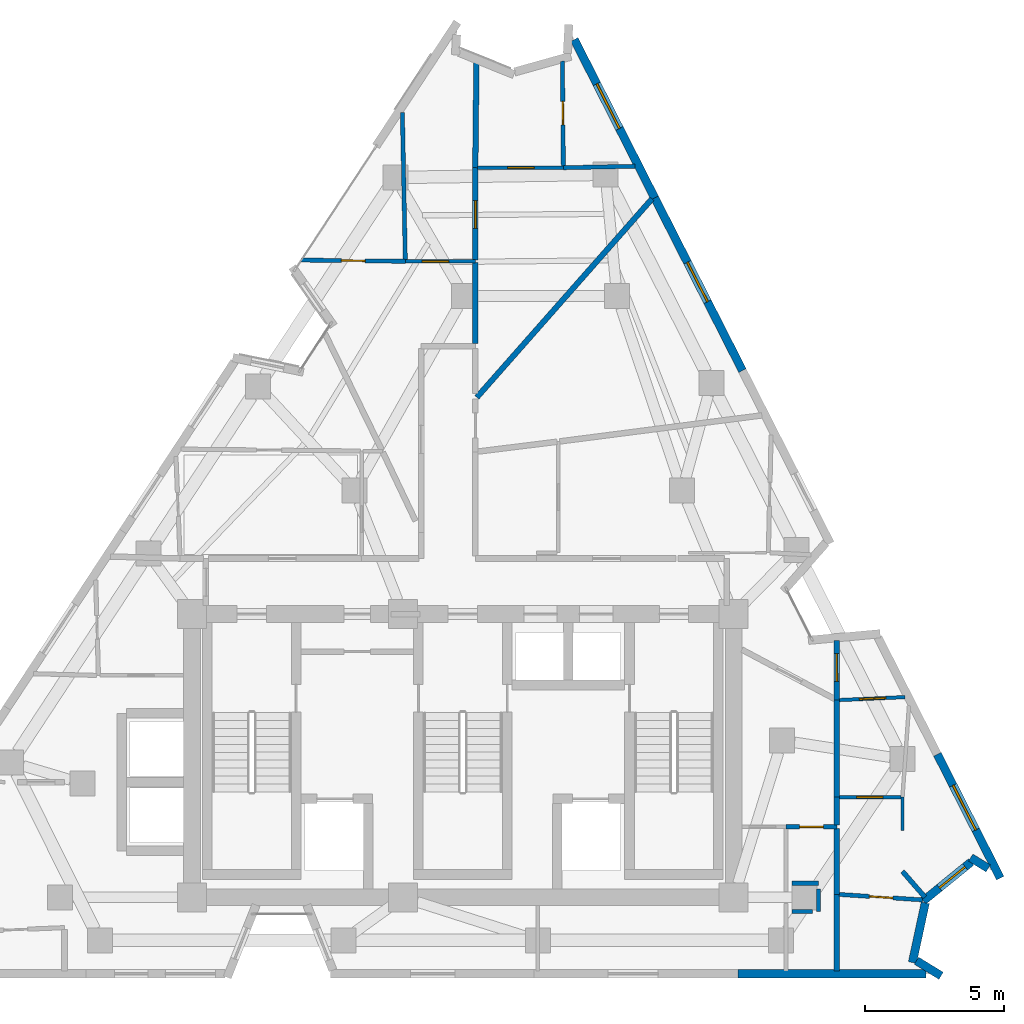
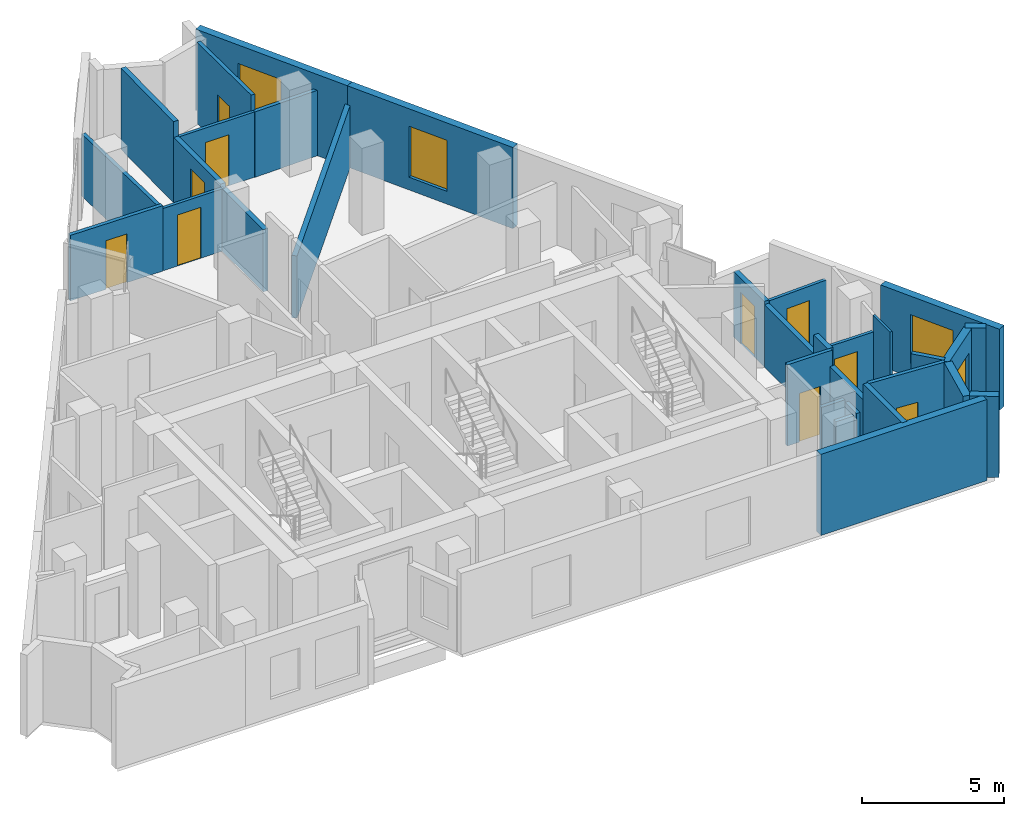
# One storey, part 8 of 10: 32 walls, 10 doors, 4 windows, 14 openings.
"""IFC4 building model written with IfcOpenShell, lengths in metres."""

from ifc_helpers import new_model, si_unit, direction, frame, frame_2d, origin, place, context, subcontext, project, spatial, rectangle, extrude, material, layer, layer_set, type_object, element, fill, save


model = new_model("IFC4")

# Units and contexts
model_context = context("Model", 3, precision=1e-05, world=origin(), true_north=direction((0.0, 1.0)))
body_context = subcontext(model_context, "Body", "Model", "MODEL_VIEW")
ifc_project = project(units=[si_unit("LENGTHUNIT", "METRE"), si_unit("AREAUNIT", "SQUARE_METRE"), si_unit("VOLUMEUNIT", "CUBIC_METRE"), si_unit("PLANEANGLEUNIT", "RADIAN"), si_unit("MASSUNIT", "GRAM", prefix="KILO")], contexts=[model_context])

# Site, building, storey
site_placement = place(None, origin())
site = spatial("IfcSite", under=ifc_project, at=site_placement, CompositionType="ELEMENT")
building_placement = place(site_placement, origin())
building = spatial("IfcBuilding", under=site, at=building_placement, Name="Almagre Mirador Tower", CompositionType="ELEMENT")
storey_placement = place(building_placement, frame((0.0, 0.0, 233.25)))
storey = spatial("IfcBuildingStorey", under=building, at=storey_placement, Name="L60", CompositionType="ELEMENT", Elevation=233.25)

# Wall, opening, window
ifc_material_1 = material(Name="Precast concrete C50/60", Category="concrete")
ifc_layer_1 = layer(ifc_material_1, 0.300048828125)
ifc_layer_set_1 = layer_set([ifc_layer_1], Name="Precast concrete C50/60")
wall_type_1 = type_object("IfcWallType", Name="WAL-EXT-300", PredefinedType="SOLIDWALL", material=ifc_layer_set_1)
wall_1_placement = place(storey_placement, frame((41.3134765625, 35.437255859375, 0.0), z_axis=(0.0, 0.0, 1.0), x_axis=(0.452902075909, -0.891560266969, 0.0)))
wall_1 = element("IfcWall", 1, at=wall_1_placement, inside=storey, type_object=wall_type_1, Name="L60 expressed almagre precast frame wall 08", PredefinedType="SOLIDWALL", context=body_context, shape_type="SweptSolid", body=[
    extrude(rectangle(XDim=6.393310546875, YDim=0.300048828125, at=frame_2d((3.19677734375, 0.0))), origin(), (0.0, 0.0, 1.0), 3.5),
])
opening_1_placement = place(wall_1_placement, frame((1.7900390625, 0.0, 0.60009765625)))
opening_1 = element("IfcOpeningElement", 2, at=opening_1_placement, cuts=wall_1, Name="Opening WN-01", PredefinedType="OPENING", context=body_context, shape_type="SweptSolid", body=[
    extrude(rectangle(XDim=1.800048828125, YDim=2.10009765625, at=frame_2d((0.89990234375, 1.050048828125))), frame((0.0, 0.159902, 0.0), z_axis=(0.0, -1.0, 0.0), x_axis=(1.0, 0.0, 0.0)), (0.0, 0.0, 1.0), 0.320049),
])
ifc_material_2 = material(Name="Dark solar-control laminated hurricane glass", Category="glass")
window_type_1 = type_object("IfcWindowType", Name="WIN-1800X2100", PartitioningType="DOUBLE_PANEL_VERTICAL", PredefinedType="WINDOW", material=ifc_material_2)
window_1_placement = place(opening_1_placement, origin())
window_1 = element("IfcWindow", 3, at=window_1_placement, inside=storey, type_object=window_type_1, Name="L60 recessed hurricane window L60-UK-BT", OverallHeight=2.10009765625, OverallWidth=1.800048828125, PartitioningType="SINGLE_PANEL", PredefinedType="WINDOW", context=body_context, shape_type="SweptSolid", body=[
    extrude(rectangle(XDim=1.800048828125, YDim=2.10009765625, at=frame_2d((0.89990234375, 1.050048828125))), frame((0.0, 0.030029296875, 0.0), z_axis=(0.0, -1.0, 0.0), x_axis=(1.0, 0.0, 0.0)), (0.0, 0.0, 1.0), 0.06005859375),
])
fill(opening_1, window_1)

wall_2_placement = place(storey_placement, frame((44.208984375, 29.7373046875, 0.0), z_axis=(0.0, 0.0, 1.0), x_axis=(0.452858393735, -0.891582455651, 0.0)))
wall_2 = element("IfcWall", 4, at=wall_2_placement, inside=storey, type_object=wall_type_1, Name="L60 expressed almagre precast frame wall 09", PredefinedType="SOLIDWALL", context=body_context, shape_type="SweptSolid", body=[
    extrude(rectangle(XDim=6.978271484375, YDim=0.300048828125, at=frame_2d((3.4892578125, 0.0))), origin(), (0.0, 0.0, 1.0), 3.5),
])
opening_2_placement = place(wall_2_placement, frame((2.60009765625, 0.0, 0.550048828125)))
opening_2 = element("IfcOpeningElement", 5, at=opening_2_placement, cuts=wall_2, Name="Opening WN-06", PredefinedType="OPENING", context=body_context, shape_type="SweptSolid", body=[
    extrude(rectangle(XDim=1.60009765625, YDim=2.199951171875, at=frame_2d((0.800048828125, 1.10009765625))), frame((0.0, 0.159902, 0.0), z_axis=(0.0, -1.0, 0.0), x_axis=(1.0, 0.0, 0.0)), (0.0, 0.0, 1.0), 0.320049),
])
ifc_material_3 = material(Name="Dark solar-control laminated hurricane glass", Category="glass")
window_type_2 = type_object("IfcWindowType", Name="WIN-1600X2200", PartitioningType="DOUBLE_PANEL_VERTICAL", PredefinedType="WINDOW", material=ifc_material_3)
window_2_placement = place(opening_2_placement, origin())
window_2 = element("IfcWindow", 6, at=window_2_placement, inside=storey, type_object=window_type_2, Name="L60 recessed hurricane window L60-RST-H", OverallHeight=2.199951171875, OverallWidth=1.60009765625, PartitioningType="SINGLE_PANEL", PredefinedType="WINDOW", context=body_context, shape_type="SweptSolid", body=[
    extrude(rectangle(XDim=1.60009765625, YDim=2.199951171875, at=frame_2d((0.800048828125, 1.10009765625))), frame((0.0, 0.030029296875, 0.0), z_axis=(0.0, -1.0, 0.0), x_axis=(1.0, 0.0, 0.0)), (0.0, 0.0, 1.0), 0.06005859375),
])
fill(opening_2, window_2)

wall_3_placement = place(storey_placement, frame((54.387451171875, 9.698486328125, 0.0), z_axis=(0.0, 0.0, 1.0), x_axis=(0.452850052045, -0.891586692567, 0.0)))
wall_3 = element("IfcWall", 7, at=wall_3_placement, inside=storey, type_object=wall_type_1, Name="L60 expressed almagre precast frame wall 14", PredefinedType="SOLIDWALL", context=body_context, shape_type="SweptSolid", body=[
    extrude(rectangle(XDim=4.999267578125, YDim=0.300048828125, at=frame_2d((2.49951171875, 0.0))), origin(), (0.0, 0.0, 1.0), 3.5),
])
opening_3_placement = place(wall_3_placement, frame((1.25, 0.0, 0.60009765625)))
opening_3 = element("IfcOpeningElement", 8, at=opening_3_placement, cuts=wall_3, Name="Opening WN-01", PredefinedType="OPENING", context=body_context, shape_type="SweptSolid", body=[
    extrude(rectangle(XDim=1.800048828125, YDim=2.10009765625, at=frame_2d((0.89990234375, 1.050048828125))), frame((0.0, 0.159902, 0.0), z_axis=(0.0, -1.0, 0.0), x_axis=(1.0, 0.0, 0.0)), (0.0, 0.0, 1.0), 0.320049),
])
window_3_placement = place(opening_3_placement, origin())
window_3 = element("IfcWindow", 9, at=window_3_placement, inside=storey, type_object=window_type_1, Name="L60 recessed hurricane window L60-UD-ST", OverallHeight=2.10009765625, OverallWidth=1.800048828125, PartitioningType="SINGLE_PANEL", PredefinedType="WINDOW", context=body_context, shape_type="SweptSolid", body=[
    extrude(rectangle(XDim=1.800048828125, YDim=2.10009765625, at=frame_2d((0.89990234375, 1.050048828125))), frame((0.0, 0.030029296875, 0.0), z_axis=(0.0, -1.0, 0.0), x_axis=(1.0, 0.0, 0.0)), (0.0, 0.0, 1.0), 0.06005859375),
])
fill(opening_3, window_3)

# Wall
wall_4_placement = place(storey_placement, frame((56.21728515625, 5.59375, 0.0), z_axis=(0.0, 0.0, 1.0), x_axis=(-0.852031848623, 0.523489951128, 0.0)))
element("IfcWall", 10, at=wall_4_placement, inside=storey, type_object=wall_type_1, Name="L60 expressed almagre precast frame wall 15", PredefinedType="SOLIDWALL", context=body_context, shape_type="SweptSolid", body=[
    extrude(rectangle(XDim=0.740234375, YDim=0.300048828125, at=frame_2d((0.3701171875, 0.0))), origin(), (0.0, 0.0, 1.0), 3.5),
])

# Wall, opening, window
wall_5_placement = place(storey_placement, frame((55.601318359375, 5.82275390625, 0.0), z_axis=(0.0, 0.0, 1.0), x_axis=(-0.775969517168, -0.630770408648, 0.0)))
wall_5 = element("IfcWall", 11, at=wall_5_placement, inside=storey, type_object=wall_type_1, Name="L60 expressed almagre precast frame wall 16", PredefinedType="SOLIDWALL", context=body_context, shape_type="SweptSolid", body=[
    extrude(rectangle(XDim=2.222900390625, YDim=0.300048828125, at=frame_2d((1.111328125, 0.0))), origin(), (0.0, 0.0, 1.0), 3.5),
])
opening_4_placement = place(wall_5_placement, frame((0.27490234375, 0.0, 0.800048828125)))
opening_4 = element("IfcOpeningElement", 12, at=opening_4_placement, cuts=wall_5, Name="Opening WN-04", PredefinedType="OPENING", context=body_context, shape_type="SweptSolid", body=[
    extrude(rectangle(XDim=1.199951171875, YDim=1.800048828125, at=frame_2d((0.60009765625, 0.89990234375))), frame((0.0, 0.159902, 0.0), z_axis=(0.0, -1.0, 0.0), x_axis=(1.0, 0.0, 0.0)), (0.0, 0.0, 1.0), 0.320049),
])
ifc_material_4 = material(Name="Dark solar-control laminated hurricane glass", Category="glass")
window_type_3 = type_object("IfcWindowType", Name="WIN-1200X1800", PartitioningType="SINGLE_PANEL", PredefinedType="WINDOW", material=ifc_material_4)
window_4_placement = place(opening_4_placement, origin())
window_4 = element("IfcWindow", 13, at=window_4_placement, inside=storey, type_object=window_type_3, Name="L60 recessed hurricane window L60-UD-ST", OverallHeight=1.800048828125, OverallWidth=1.199951171875, PartitioningType="SINGLE_PANEL", PredefinedType="WINDOW", context=body_context, shape_type="SweptSolid", body=[
    extrude(rectangle(XDim=1.199951171875, YDim=1.800048828125, at=frame_2d((0.60009765625, 0.89990234375))), frame((0.0, 0.030029296875, 0.0), z_axis=(0.0, -1.0, 0.0), x_axis=(1.0, 0.0, 0.0)), (0.0, 0.0, 1.0), 0.06005859375),
])
fill(opening_4, window_4)

# Walls
wall_6_placement = place(storey_placement, frame((53.951416015625, 4.3525390625, 0.0), z_axis=(0.0, 0.0, 1.0), x_axis=(-0.210621406129, -0.977567707773, 0.0)))
element("IfcWall", 14, at=wall_6_placement, inside=storey, type_object=wall_type_1, Name="L60 expressed almagre precast frame wall 17", PredefinedType="SOLIDWALL", context=body_context, shape_type="SweptSolid", body=[
    extrude(rectangle(XDim=2.19775390625, YDim=0.300048828125, at=frame_2d((1.098876953125, 0.0))), origin(), (0.0, 0.0, 1.0), 3.5),
])
wall_7_placement = place(storey_placement, frame((53.633056640625, 2.2705078125, 0.0), z_axis=(0.0, 0.0, 1.0), x_axis=(0.852375061926, -0.522930926421, 0.0)))
element("IfcWall", 15, at=wall_7_placement, inside=storey, type_object=wall_type_1, Name="L60 expressed almagre precast frame wall 18", PredefinedType="SOLIDWALL", context=body_context, shape_type="SweptSolid", body=[
    extrude(rectangle(XDim=1.039794921875, YDim=0.300048828125, at=frame_2d((0.52001953125, 0.0))), origin(), (0.0, 0.0, 1.0), 3.5),
])
wall_8_placement = place(storey_placement, frame((53.97509765625, 1.800048828125, 0.0), z_axis=(0.0, 0.0, 1.0), x_axis=(-1.0, 0.0, 0.0)))
element("IfcWall", 16, at=wall_8_placement, inside=storey, type_object=wall_type_1, Name="L60 expressed almagre precast frame wall 19", PredefinedType="SOLIDWALL", context=body_context, shape_type="SweptSolid", body=[
    extrude(rectangle(XDim=6.77099609375, YDim=0.300048828125, at=frame_2d((3.385498046875, 0.0))), origin(), (0.0, 0.0, 1.0), 3.5),
])
ifc_material_5 = material(Name="Gypsum acoustic stud partition", Category="other")
ifc_layer_2 = layer(ifc_material_5, 0.10009765625)
ifc_layer_set_2 = layer_set([ifc_layer_2], Name="Gypsum acoustic stud partition")
wall_type_2 = type_object("IfcWallType", Name="WAL-PRT-100-CLS", PredefinedType="PARTITIONING", material=ifc_layer_set_2)
wall_9_placement = place(storey_placement, frame((53.1298828125, 8.159912109375, 0.0), z_axis=(0.0, 0.0, 1.0), x_axis=(0.0, -1.0, 0.0)))
element("IfcWall", 17, at=wall_9_placement, inside=storey, type_object=wall_type_2, Name="L60 interior partition 068", PredefinedType="PARTITIONING", context=body_context, shape_type="SweptSolid", body=[
    extrude(rectangle(XDim=1.204833984375, YDim=0.10009765625, at=frame_2d((0.6025390625, 0.0))), origin(), (0.0, 0.0, 1.0), 3.5),
])

# Wall, opening, door
ifc_material_6 = material(Name="Gypsum acoustic stud partition", Category="other")
ifc_layer_3 = layer(ifc_material_6, 0.125)
ifc_layer_set_3 = layer_set([ifc_layer_3], Name="Gypsum acoustic stud partition")
wall_type_3 = type_object("IfcWallType", Name="WAL-PRT-125-UTL", PredefinedType="PARTITIONING", material=ifc_layer_set_3)
wall_10_placement = place(storey_placement, frame((50.85498046875, 11.653564453125, 0.0), z_axis=(0.0, 0.0, 1.0), x_axis=(0.998974472406, 0.045276964139, 0.0)))
wall_10 = element("IfcWall", 18, at=wall_10_placement, inside=storey, type_object=wall_type_3, Name="L60 interior partition 033", PredefinedType="PARTITIONING", context=body_context, shape_type="SweptSolid", body=[
    extrude(rectangle(XDim=2.37255859375, YDim=0.125, at=frame_2d((1.186279296875, 0.0))), origin(), (0.0, 0.0, 1.0), 2.820068359375),
])
opening_5_placement = place(wall_10_placement, frame((0.72705078125, 0.0, 0.0)))
opening_5 = element("IfcOpeningElement", 19, at=opening_5_placement, cuts=wall_10, Name="Opening UD-01", PredefinedType="OPENING", context=body_context, shape_type="SweptSolid", body=[
    extrude(rectangle(XDim=0.949951171875, YDim=2.199951171875, at=frame_2d((0.47509765625, 1.10009765625))), frame((0.0, 0.0725, 0.0), z_axis=(0.0, -1.0, 0.0), x_axis=(1.0, 0.0, 0.0)), (0.0, 0.0, 1.0), 0.145),
])
ifc_material_7 = material(Name="Solid American walnut timber", Category="wood")
door_type_1 = type_object("IfcDoorType", Name="DOR-UNR-950X2200", OperationType="NOTDEFINED", PredefinedType="DOOR", material=ifc_material_7)
door_1_placement = place(opening_5_placement, origin())
door_1 = element("IfcDoor", 20, at=door_1_placement, inside=storey, type_object=door_type_1, Name="DR-1843 L60 interior door L60-UD-ST to L60-UD-KT", OperationType="SINGLE_SWING_LEFT", OverallHeight=2.199951171875, OverallWidth=0.949951171875, PredefinedType="DOOR", context=body_context, shape_type="SweptSolid", body=[
    extrude(rectangle(XDim=0.949951171875, YDim=2.199951171875, at=frame_2d((0.47509765625, 1.10009765625))), frame((0.0, 0.02490234375, 0.0), z_axis=(0.0, -1.0, 0.0), x_axis=(1.0, 0.0, 0.0)), (0.0, 0.0, 1.0), 0.050048828125),
])
fill(opening_5, door_1)

wall_11_placement = place(storey_placement, frame((50.85498046875, 8.159912109375, 0.0), z_axis=(0.0, 0.0, 1.0), x_axis=(1.0, 0.0, 0.0)))
wall_11 = element("IfcWall", 21, at=wall_11_placement, inside=storey, type_object=wall_type_3, Name="L60 interior partition 038", PredefinedType="PARTITIONING", context=body_context, shape_type="SweptSolid", body=[
    extrude(rectangle(XDim=2.2275390625, YDim=0.125, at=frame_2d((1.11376953125, 0.0))), origin(), (0.0, 0.0, 1.0), 2.820068359375),
])
opening_6_placement = place(wall_11_placement, frame((0.6201171875, 0.0, 0.0)))
opening_6 = element("IfcOpeningElement", 22, at=opening_6_placement, cuts=wall_11, Name="Opening UD-01", PredefinedType="OPENING", context=body_context, shape_type="SweptSolid", body=[
    extrude(rectangle(XDim=0.949951171875, YDim=2.199951171875, at=frame_2d((0.47509765625, 1.10009765625))), frame((0.0, 0.0725, 0.0), z_axis=(0.0, -1.0, 0.0), x_axis=(1.0, 0.0, 0.0)), (0.0, 0.0, 1.0), 0.145),
])
door_2_placement = place(opening_6_placement, origin())
door_2 = element("IfcDoor", 23, at=door_2_placement, inside=storey, type_object=door_type_1, Name="DR-1865 L60 interior door L60-UD-ST1 to L60-UD-KT", OperationType="SINGLE_SWING_RIGHT", OverallHeight=2.199951171875, OverallWidth=0.949951171875, PredefinedType="DOOR", context=body_context, shape_type="SweptSolid", body=[
    extrude(rectangle(XDim=0.949951171875, YDim=2.199951171875, at=frame_2d((0.47509765625, 1.10009765625))), frame((0.0, 0.02490234375, 0.0), z_axis=(0.0, -1.0, 0.0), x_axis=(1.0, 0.0, 0.0)), (0.0, 0.0, 1.0), 0.050048828125),
])
fill(opening_6, door_2)

wall_12_placement = place(storey_placement, frame((37.75, 27.449951171875, 0.0), z_axis=(0.0, 0.0, 1.0), x_axis=(-1.0, 0.0, 0.0)))
wall_12 = element("IfcWall", 24, at=wall_12_placement, inside=storey, type_object=wall_type_3, Name="L60 interior partition 059", PredefinedType="PARTITIONING", context=body_context, shape_type="SweptSolid", body=[
    extrude(rectangle(XDim=2.52001953125, YDim=0.125, at=frame_2d((1.260009765625, 0.0))), origin(), (0.0, 0.0, 1.0), 2.68505859375),
])
opening_7_placement = place(wall_12_placement, frame((0.9609375, 0.0, 0.0)))
opening_7 = element("IfcOpeningElement", 25, at=opening_7_placement, cuts=wall_12, Name="Opening UD-01", PredefinedType="OPENING", context=body_context, shape_type="SweptSolid", body=[
    extrude(rectangle(XDim=0.949951171875, YDim=2.199951171875, at=frame_2d((0.47509765625, 1.10009765625))), frame((0.0, 0.0725, 0.0), z_axis=(0.0, -1.0, 0.0), x_axis=(1.0, 0.0, 0.0)), (0.0, 0.0, 1.0), 0.145),
])
door_3_placement = place(opening_7_placement, origin())
door_3 = element("IfcDoor", 26, at=door_3_placement, inside=storey, type_object=door_type_1, Name="DR-1857 L60 interior door L60-UJ-ST to L60-UJ-KT", OperationType="SINGLE_SWING_RIGHT", OverallHeight=2.199951171875, OverallWidth=0.949951171875, PredefinedType="DOOR", context=body_context, shape_type="SweptSolid", body=[
    extrude(rectangle(XDim=0.949951171875, YDim=2.199951171875, at=frame_2d((0.47509765625, 1.10009765625))), frame((0.0, 0.02490234375, 0.0), z_axis=(0.0, -1.0, 0.0), x_axis=(1.0, 0.0, 0.0)), (0.0, 0.0, 1.0), 0.050048828125),
])
fill(opening_7, door_3)

wall_13_placement = place(storey_placement, frame((40.919921875, 30.820068359375, 0.0), z_axis=(0.0, 0.0, 1.0), x_axis=(-1.0, 0.0, 0.0)))
wall_13 = element("IfcWall", 27, at=wall_13_placement, inside=storey, type_object=wall_type_3, Name="L60 interior partition 064", PredefinedType="PARTITIONING", context=body_context, shape_type="SweptSolid", body=[
    extrude(rectangle(XDim=3.0849609375, YDim=0.125, at=frame_2d((1.54248046875, 0.0))), origin(), (0.0, 0.0, 1.0), 2.820068359375),
])
opening_8_placement = place(wall_13_placement, frame((1.052978515625, 0.0, 0.0)))
opening_8 = element("IfcOpeningElement", 28, at=opening_8_placement, cuts=wall_13, Name="Opening UD-01", PredefinedType="OPENING", context=body_context, shape_type="SweptSolid", body=[
    extrude(rectangle(XDim=0.949951171875, YDim=2.199951171875, at=frame_2d((0.47509765625, 1.10009765625))), frame((0.0, 0.0725, 0.0), z_axis=(0.0, -1.0, 0.0), x_axis=(1.0, 0.0, 0.0)), (0.0, 0.0, 1.0), 0.145),
])
door_4_placement = place(opening_8_placement, origin())
door_4 = element("IfcDoor", 29, at=door_4_placement, inside=storey, type_object=door_type_1, Name="DR-1859 L60 interior door L60-UK-ST to L60-UK-KT", OperationType="SINGLE_SWING_RIGHT", OverallHeight=2.199951171875, OverallWidth=0.949951171875, PredefinedType="DOOR", context=body_context, shape_type="SweptSolid", body=[
    extrude(rectangle(XDim=0.949951171875, YDim=2.199951171875, at=frame_2d((0.47509765625, 1.10009765625))), frame((0.0, 0.02490234375, 0.0), z_axis=(0.0, -1.0, 0.0), x_axis=(1.0, 0.0, 0.0)), (0.0, 0.0, 1.0), 0.050048828125),
])
fill(opening_8, door_4)

ifc_material_8 = material(Name="Gypsum acoustic stud partition", Category="other")
ifc_layer_4 = layer(ifc_material_8, 0.14990234375)
ifc_layer_set_4 = layer_set([ifc_layer_4], Name="Gypsum acoustic stud partition")
wall_type_4 = type_object("IfcWallType", Name="WAL-PRT-150-STD", PredefinedType="PARTITIONING", material=ifc_layer_set_4)
wall_14_placement = place(storey_placement, frame((48.93994140625, 7.090087890625, 0.0), z_axis=(0.0, 0.0, 1.0), x_axis=(1.0, 0.0, 0.0)))
wall_14 = element("IfcWall", 30, at=wall_14_placement, inside=storey, type_object=wall_type_4, Name="L60 interior partition 024", PredefinedType="PARTITIONING", context=body_context, shape_type="SweptSolid", body=[
    extrude(rectangle(XDim=1.830078125, YDim=0.14990234375, at=frame_2d((0.9150390625, 0.0))), origin(), (0.0, 0.0, 1.0), 3.5),
])
opening_9_placement = place(wall_14_placement, frame((0.489990234375, 0.0, 0.0)))
opening_9 = element("IfcOpeningElement", 31, at=opening_9_placement, cuts=wall_14, Name="Opening UD-04", PredefinedType="OPENING", context=body_context, shape_type="SweptSolid", body=[
    extrude(rectangle(XDim=0.85009765625, YDim=2.10009765625, at=frame_2d((0.425048828125, 1.050048828125))), frame((0.0, 0.084951, 0.0), z_axis=(0.0, -1.0, 0.0), x_axis=(1.0, 0.0, 0.0)), (0.0, 0.0, 1.0), 0.169902),
])
ifc_material_9 = material(Name="Moisture-resistant oak timber", Category="wood")
door_type_2 = type_object("IfcDoorType", Name="DOR-UNR-850X2100", OperationType="NOTDEFINED", PredefinedType="DOOR", material=ifc_material_9)
door_5_placement = place(opening_9_placement, origin())
door_5 = element("IfcDoor", 32, at=door_5_placement, inside=storey, type_object=door_type_2, Name="DR-1842 L60 interior door L60-UC-ST to L60-UC-BT", OperationType="SINGLE_SWING_LEFT", OverallHeight=2.10009765625, OverallWidth=0.85009765625, PredefinedType="DOOR", context=body_context, shape_type="SweptSolid", body=[
    extrude(rectangle(XDim=0.85009765625, YDim=2.10009765625, at=frame_2d((0.425048828125, 1.050048828125))), frame((0.0, 0.02490234375, 0.0), z_axis=(0.0, -1.0, 0.0), x_axis=(1.0, 0.0, 0.0)), (0.0, 0.0, 1.0), 0.050048828125),
])
fill(opening_9, door_5)

wall_15_placement = place(storey_placement, frame((53.85107421875, 4.458984375, 0.0), z_axis=(0.0, 0.0, 1.0), x_axis=(-0.99786077686, 0.065374842291, 0.0)))
wall_15 = element("IfcWall", 33, at=wall_15_placement, inside=storey, type_object=wall_type_4, Name="L60 interior partition 037", PredefinedType="PARTITIONING", context=body_context, shape_type="SweptSolid", body=[
    extrude(rectangle(XDim=3.00244140625, YDim=0.14990234375, at=frame_2d((1.501220703125, 0.0))), origin(), (0.0, 0.0, 1.0), 3.5),
])
opening_10_placement = place(wall_15_placement, frame((1.066650390625, 0.0, 0.0)))
opening_10 = element("IfcOpeningElement", 34, at=opening_10_placement, cuts=wall_15, Name="Opening UD-04", PredefinedType="OPENING", context=body_context, shape_type="SweptSolid", body=[
    extrude(rectangle(XDim=0.85009765625, YDim=2.10009765625, at=frame_2d((0.425048828125, 1.050048828125))), frame((0.0, 0.084951, 0.0), z_axis=(0.0, -1.0, 0.0), x_axis=(1.0, 0.0, 0.0)), (0.0, 0.0, 1.0), 0.169902),
])
door_6_placement = place(opening_10_placement, origin())
door_6 = element("IfcDoor", 35, at=door_6_placement, inside=storey, type_object=door_type_2, Name="DR-1844 L60 interior door L60-UD-HB to L60-UD-ST1", OperationType="SINGLE_SWING_LEFT", OverallHeight=2.10009765625, OverallWidth=0.85009765625, PredefinedType="DOOR", context=body_context, shape_type="SweptSolid", body=[
    extrude(rectangle(XDim=0.85009765625, YDim=2.10009765625, at=frame_2d((0.425048828125, 1.050048828125))), frame((0.0, 0.02490234375, 0.0), z_axis=(0.0, -1.0, 0.0), x_axis=(1.0, 0.0, 0.0)), (0.0, 0.0, 1.0), 0.050048828125),
])
fill(opening_10, door_6)

wall_16_placement = place(storey_placement, frame((35.22998046875, 27.449951171875, 0.0), z_axis=(0.0, 0.0, 1.0), x_axis=(-0.999924305928, 0.012303756108, 0.0)))
wall_16 = element("IfcWall", 36, at=wall_16_placement, inside=storey, type_object=wall_type_4, Name="L60 interior partition 058", PredefinedType="PARTITIONING", context=body_context, shape_type="SweptSolid", body=[
    extrude(rectangle(XDim=3.750244140625, YDim=0.14990234375, at=frame_2d((1.875, 0.0))), origin(), (0.0, 0.0, 1.0), 2.820068359375),
])
opening_11_placement = place(wall_16_placement, frame((1.4501953125, 0.0, 0.0)))
opening_11 = element("IfcOpeningElement", 37, at=opening_11_placement, cuts=wall_16, Name="Opening UD-04", PredefinedType="OPENING", context=body_context, shape_type="SweptSolid", body=[
    extrude(rectangle(XDim=0.85009765625, YDim=2.10009765625, at=frame_2d((0.425048828125, 1.050048828125))), frame((0.0, 0.084951, 0.0), z_axis=(0.0, -1.0, 0.0), x_axis=(1.0, 0.0, 0.0)), (0.0, 0.0, 1.0), 0.169902),
])
door_7_placement = place(opening_11_placement, origin())
door_7 = element("IfcDoor", 38, at=door_7_placement, inside=storey, type_object=door_type_2, Name="DR-1858 L60 interior door L60-UJ-ST to L60-UJ-BT", OperationType="SINGLE_SWING_LEFT", OverallHeight=2.10009765625, OverallWidth=0.85009765625, PredefinedType="DOOR", context=body_context, shape_type="SweptSolid", body=[
    extrude(rectangle(XDim=0.85009765625, YDim=2.10009765625, at=frame_2d((0.425048828125, 1.050048828125))), frame((0.0, 0.02490234375, 0.0), z_axis=(0.0, -1.0, 0.0), x_axis=(1.0, 0.0, 0.0)), (0.0, 0.0, 1.0), 0.050048828125),
])
fill(opening_11, door_7)

# Walls
wall_17_placement = place(storey_placement, frame((35.229248046875, 27.510009765625, 0.0), z_axis=(0.0, 0.0, 1.0), x_axis=(-0.01987614649, 0.999802449887, 0.0)))
element("IfcWall", 39, at=wall_17_placement, inside=storey, type_object=wall_type_4, Name="L60 interior partition 061", PredefinedType="PARTITIONING", context=body_context, shape_type="SweptSolid", body=[
    extrude(rectangle(XDim=5.2939453125, YDim=0.14990234375, at=frame_2d((2.64697265625, 0.0))), origin(), (0.0, 0.0, 1.0), 2.68505859375),
])
wall_18_placement = place(storey_placement, frame((43.5, 30.873046875, 0.0), z_axis=(0.0, 0.0, 1.0), x_axis=(-0.999789250499, -0.020529359137, 0.0)))
element("IfcWall", 40, at=wall_18_placement, inside=storey, type_object=wall_type_4, Name="L60 interior partition 065", PredefinedType="PARTITIONING", context=body_context, shape_type="SweptSolid", body=[
    extrude(rectangle(XDim=2.58056640625, YDim=0.14990234375, at=frame_2d((1.290283203125, 0.0))), origin(), (0.0, 0.0, 1.0), 2.820068359375),
])

# Wall, opening, door
wall_19_placement = place(storey_placement, frame((40.919677734375, 30.867431640625, 0.0), z_axis=(0.0, 0.0, 1.0), x_axis=(-0.008639264941, 0.999962680854, 0.0)))
wall_19 = element("IfcWall", 41, at=wall_19_placement, inside=storey, type_object=wall_type_4, Name="L60 interior partition 066", PredefinedType="PARTITIONING", context=body_context, shape_type="SweptSolid", body=[
    extrude(rectangle(XDim=3.786865234375, YDim=0.14990234375, at=frame_2d((1.8935546875, 0.0))), origin(), (0.0, 0.0, 1.0), 3.5),
])
opening_12_placement = place(wall_19_placement, frame((1.49560546875, 0.0, 0.0)))
opening_12 = element("IfcOpeningElement", 42, at=opening_12_placement, cuts=wall_19, Name="Opening UD-04", PredefinedType="OPENING", context=body_context, shape_type="SweptSolid", body=[
    extrude(rectangle(XDim=0.85009765625, YDim=2.10009765625, at=frame_2d((0.425048828125, 1.050048828125))), frame((0.0, 0.084951, 0.0), z_axis=(0.0, -1.0, 0.0), x_axis=(1.0, 0.0, 0.0)), (0.0, 0.0, 1.0), 0.169902),
])
door_8_placement = place(opening_12_placement, origin())
door_8 = element("IfcDoor", 43, at=door_8_placement, inside=storey, type_object=door_type_2, Name="DR-1860 L60 interior door L60-UK-KT to L60-UK-BT", OperationType="SINGLE_SWING_LEFT", OverallHeight=2.10009765625, OverallWidth=0.85009765625, PredefinedType="DOOR", context=body_context, shape_type="SweptSolid", body=[
    extrude(rectangle(XDim=0.85009765625, YDim=2.10009765625, at=frame_2d((0.425048828125, 1.050048828125))), frame((0.0, 0.02490234375, 0.0), z_axis=(0.0, -1.0, 0.0), x_axis=(1.0, 0.0, 0.0)), (0.0, 0.0, 1.0), 0.050048828125),
])
fill(opening_12, door_8)

# Walls
wall_20_placement = place(storey_placement, frame((49.155029296875, 5.06005859375, 0.0), z_axis=(0.0, 0.0, 1.0), x_axis=(1.0, 0.0, 0.0)))
element("IfcWall", 44, at=wall_20_placement, inside=storey, type_object=wall_type_4, Name="L60 interior partition 071", PredefinedType="PARTITIONING", context=body_context, shape_type="SweptSolid", body=[
    extrude(rectangle(XDim=0.955078125, YDim=0.14990234375, at=frame_2d((0.4775390625, 0.0))), origin(), (0.0, 0.0, 1.0), 2.820068359375),
])
wall_21_placement = place(storey_placement, frame((50.110107421875, 4.844970703125, 0.0), z_axis=(0.0, 0.0, 1.0), x_axis=(0.0, -1.0, 0.0)))
element("IfcWall", 45, at=wall_21_placement, inside=storey, type_object=wall_type_4, Name="L60 interior partition 072", PredefinedType="PARTITIONING", context=body_context, shape_type="SweptSolid", body=[
    extrude(rectangle(XDim=0.804931640625, YDim=0.14990234375, at=frame_2d((0.40234375, 0.0))), origin(), (0.0, 0.0, 1.0), 2.820068359375),
])
wall_22_placement = place(storey_placement, frame((49.89501953125, 4.0400390625, 0.0), z_axis=(0.0, 0.0, 1.0), x_axis=(-1.0, 0.0, 0.0)))
element("IfcWall", 46, at=wall_22_placement, inside=storey, type_object=wall_type_4, Name="L60 interior partition 073", PredefinedType="PARTITIONING", context=body_context, shape_type="SweptSolid", body=[
    extrude(rectangle(XDim=0.739990234375, YDim=0.14990234375, at=frame_2d((0.3701171875, 0.0))), origin(), (0.0, 0.0, 1.0), 2.820068359375),
])
ifc_material_10 = material(Name="Gypsum acoustic stud partition", Category="other")
ifc_layer_5 = layer(ifc_material_10, 0.175048828125)
ifc_layer_set_5 = layer_set([ifc_layer_5], Name="Gypsum acoustic stud partition")
wall_type_5 = type_object("IfcWallType", Name="WAL-PRT-175-AC", PredefinedType="PARTITIONING", material=ifc_layer_set_5)
wall_23_placement = place(storey_placement, frame((53.1298828125, 5.487060546875, 0.0), z_axis=(0.0, 0.0, 1.0), x_axis=(0.656777109495, -0.754084762108, 0.0)))
element("IfcWall", 47, at=wall_23_placement, inside=storey, type_object=wall_type_5, Name="L60 interior partition 069", PredefinedType="PARTITIONING", context=body_context, shape_type="SweptSolid", body=[
    extrude(rectangle(XDim=1.23193359375, YDim=0.175048828125, at=frame_2d((0.615966796875, 0.0))), origin(), (0.0, 0.0, 1.0), 3.5),
])
ifc_material_11 = material(Name="Gypsum acoustic stud partition", Category="other")
ifc_layer_6 = layer(ifc_material_11, 0.199951171875)
ifc_layer_set_6 = layer_set([ifc_layer_6], Name="Gypsum acoustic stud partition")
wall_type_6 = type_object("IfcWallType", Name="WAL-PRT-200-EI60", PredefinedType="PARTITIONING", material=ifc_layer_set_6)
wall_24_placement = place(storey_placement, frame((50.77001953125, 8.159912109375, 0.0), z_axis=(0.0, 0.0, 1.0), x_axis=(0.0, 1.0, 0.0)))
element("IfcWall", 48, at=wall_24_placement, inside=storey, type_object=wall_type_6, Name="L60 interior partition 026", PredefinedType="PARTITIONING", context=body_context, shape_type="SweptSolid", body=[
    extrude(rectangle(XDim=3.489990234375, YDim=0.199951171875, at=frame_2d((1.7451171875, 0.0))), origin(), (0.0, 0.0, 1.0), 2.68505859375),
])
wall_25_placement = place(storey_placement, frame((50.77001953125, 7.14990234375, 0.0), z_axis=(0.0, 0.0, 1.0), x_axis=(0.0, 1.0, 0.0)))
element("IfcWall", 49, at=wall_25_placement, inside=storey, type_object=wall_type_6, Name="L60 interior partition 027", PredefinedType="PARTITIONING", context=body_context, shape_type="SweptSolid", body=[
    extrude(rectangle(XDim=1.010009765625, YDim=0.199951171875, at=frame_2d((0.5048828125, 0.0))), origin(), (0.0, 0.0, 1.0), 3.5),
])
wall_26_placement = place(storey_placement, frame((50.77001953125, 1.89990234375, 0.0), z_axis=(0.0, 0.0, 1.0), x_axis=(0.0, 1.0, 0.0)))
element("IfcWall", 50, at=wall_26_placement, inside=storey, type_object=wall_type_6, Name="L60 interior partition 031", PredefinedType="PARTITIONING", context=body_context, shape_type="SweptSolid", body=[
    extrude(rectangle(XDim=2.760009765625, YDim=0.199951171875, at=frame_2d((1.3798828125, 0.0))), origin(), (0.0, 0.0, 1.0), 3.5),
])
wall_27_placement = place(storey_placement, frame((50.77001953125, 4.659912109375, 0.0), z_axis=(0.0, 0.0, 1.0), x_axis=(0.0, 1.0, 0.0)))
element("IfcWall", 51, at=wall_27_placement, inside=storey, type_object=wall_type_6, Name="L60 interior partition 032", PredefinedType="PARTITIONING", context=body_context, shape_type="SweptSolid", body=[
    extrude(rectangle(XDim=2.3701171875, YDim=0.199951171875, at=frame_2d((1.18505859375, 0.0))), origin(), (0.0, 0.0, 1.0), 2.820068359375),
])

# Wall, opening, door
wall_28_placement = place(storey_placement, frame((50.760009765625, 13.800048828125, 0.0), z_axis=(0.0, 0.0, 1.0), x_axis=(0.004655337313, -0.999989163859, 0.0)))
wall_28 = element("IfcWall", 52, at=wall_28_placement, inside=storey, type_object=wall_type_6, Name="L60 interior partition 036", PredefinedType="PARTITIONING", context=body_context, shape_type="SweptSolid", body=[
    extrude(rectangle(XDim=2.150146484375, YDim=0.199951171875, at=frame_2d((1.0751953125, 0.0))), origin(), (0.0, 0.0, 1.0), 2.820068359375),
])
opening_13_placement = place(wall_28_placement, frame((0.47119140625, 0.0, 0.0)))
opening_13 = element("IfcOpeningElement", 53, at=opening_13_placement, cuts=wall_28, Name="Opening ID-01", PredefinedType="OPENING", context=body_context, shape_type="SweptSolid", body=[
    extrude(rectangle(XDim=1.0, YDim=2.199951171875, at=frame_2d((0.5, 1.10009765625))), frame((0.0, 0.110098, 0.0), z_axis=(0.0, -1.0, 0.0), x_axis=(1.0, 0.0, 0.0)), (0.0, 0.0, 1.0), 0.219951),
])
ifc_material_12 = material(Name="Fire-rated walnut timber", Category="wood")
door_type_3 = type_object("IfcDoorType", Name="DOR-FD60-1000X2200", OperationType="NOTDEFINED", PredefinedType="DOOR", material=ifc_material_12)
door_9_placement = place(opening_13_placement, origin())
door_9 = element("IfcDoor", 54, at=door_9_placement, inside=storey, type_object=door_type_3, Name="DR-1863 L60 interior door L60-UD-ST to L60-UG-MB", OperationType="SINGLE_SWING_RIGHT", OverallHeight=2.199951171875, OverallWidth=1.0, PredefinedType="DOOR", context=body_context, shape_type="SweptSolid", body=[
    extrude(rectangle(XDim=1.0, YDim=2.199951171875, at=frame_2d((0.5, 1.10009765625))), frame((0.0, 0.02490234375, 0.0), z_axis=(0.0, -1.0, 0.0), x_axis=(1.0, 0.0, 0.0)), (0.0, 0.0, 1.0), 0.050048828125),
])
fill(opening_13, door_9)

# Walls
wall_29_placement = place(storey_placement, frame((44.110107421875, 29.698974609375, 0.0), z_axis=(0.0, 0.0, 1.0), x_axis=(-0.661580960231, -0.749873744746, 0.0)))
element("IfcWall", 55, at=wall_29_placement, inside=storey, type_object=wall_type_6, Name="L60 interior partition 057", PredefinedType="PARTITIONING", context=body_context, shape_type="SweptSolid", body=[
    extrude(rectangle(XDim=9.528564453125, YDim=0.199951171875, at=frame_2d((4.76416015625, 0.0))), origin(), (0.0, 0.0, 1.0), 2.68505859375),
])
wall_30_placement = place(storey_placement, frame((37.75, 24.485107421875, 0.0), z_axis=(0.0, 0.0, 1.0), x_axis=(0.0, 1.0, 0.0)))
element("IfcWall", 56, at=wall_30_placement, inside=storey, type_object=wall_type_6, Name="L60 interior partition 060", PredefinedType="PARTITIONING", context=body_context, shape_type="SweptSolid", body=[
    extrude(rectangle(XDim=2.91748046875, YDim=0.199951171875, at=frame_2d((1.458740234375, 0.0))), origin(), (0.0, 0.0, 1.0), 2.68505859375),
])

# Wall, opening, door
wall_31_placement = place(storey_placement, frame((37.75, 27.49755859375, 0.0), z_axis=(0.0, 0.0, 1.0), x_axis=(0.0, 1.0, 0.0)))
wall_31 = element("IfcWall", 57, at=wall_31_placement, inside=storey, type_object=wall_type_6, Name="L60 interior partition 062", PredefinedType="PARTITIONING", context=body_context, shape_type="SweptSolid", body=[
    extrude(rectangle(XDim=3.322509765625, YDim=0.199951171875, at=frame_2d((1.6611328125, 0.0))), origin(), (0.0, 0.0, 1.0), 2.820068359375),
])
opening_14_placement = place(wall_31_placement, frame((1.137451171875, 0.0, 0.0)))
opening_14 = element("IfcOpeningElement", 58, at=opening_14_placement, cuts=wall_31, Name="Opening ID-01", PredefinedType="OPENING", context=body_context, shape_type="SweptSolid", body=[
    extrude(rectangle(XDim=1.0, YDim=2.199951171875, at=frame_2d((0.5, 1.10009765625))), frame((0.0, 0.110098, 0.0), z_axis=(0.0, -1.0, 0.0), x_axis=(1.0, 0.0, 0.0)), (0.0, 0.0, 1.0), 0.219951),
])
door_10_placement = place(opening_14_placement, origin())
door_10 = element("IfcDoor", 59, at=door_10_placement, inside=storey, type_object=door_type_3, Name="DR-1864 L60 interior door L60-UJ-KT to L60-UK-ST", OperationType="SINGLE_SWING_LEFT", OverallHeight=2.199951171875, OverallWidth=1.0, PredefinedType="DOOR", context=body_context, shape_type="SweptSolid", body=[
    extrude(rectangle(XDim=1.0, YDim=2.199951171875, at=frame_2d((0.5, 1.10009765625))), frame((0.0, 0.02490234375, 0.0), z_axis=(0.0, -1.0, 0.0), x_axis=(1.0, 0.0, 0.0)), (0.0, 0.0, 1.0), 0.050048828125),
])
fill(opening_14, door_10)

# Wall
wall_32_placement = place(storey_placement, frame((37.75, 30.820068359375, 0.0), z_axis=(0.0, 0.0, 1.0), x_axis=(0.010567101187, 0.999944166628, 0.0)))
element("IfcWall", 60, at=wall_32_placement, inside=storey, type_object=wall_type_6, Name="L60 interior partition 063", PredefinedType="PARTITIONING", context=body_context, shape_type="SweptSolid", body=[
    extrude(rectangle(XDim=3.7890625, YDim=0.199951171875, at=frame_2d((1.89453125, 0.0))), origin(), (0.0, 0.0, 1.0), 3.5),
])

save(model, "model.ifc")
